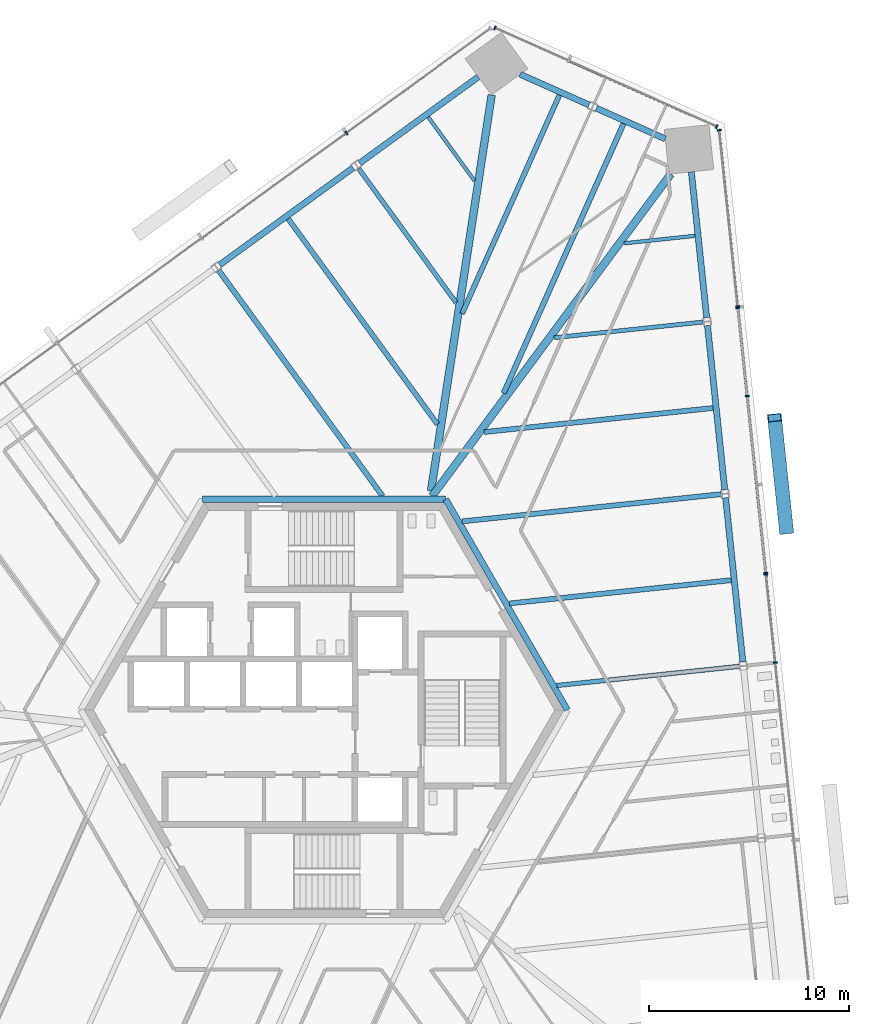
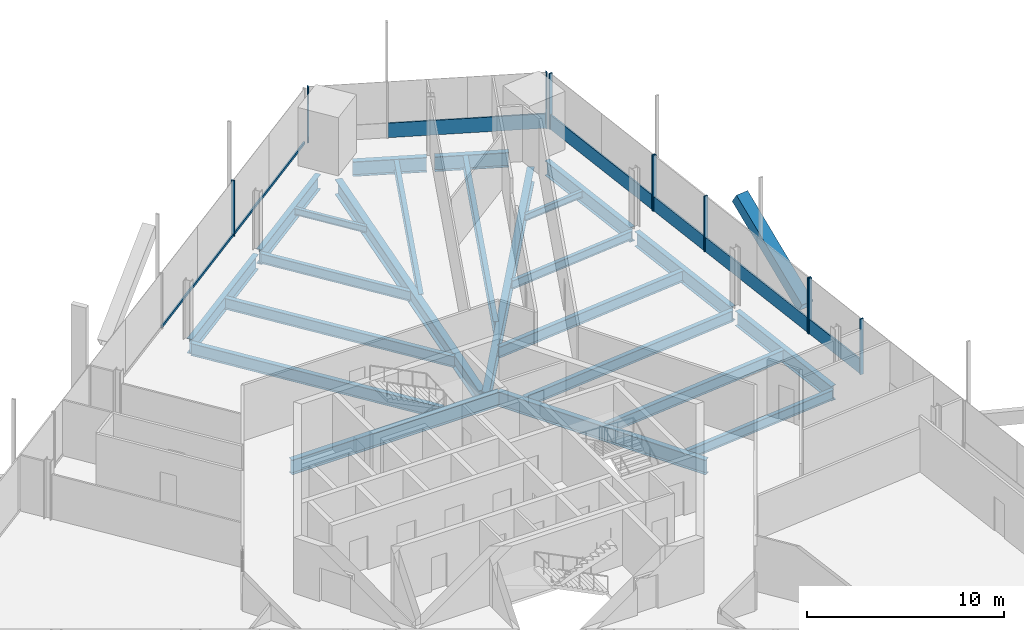
# One storey, part 7 of 21: 23 beams, 18 members, 5 elements without a shape of their own.
"""IFC4 building model written with IfcOpenShell, lengths in metres."""

from ifc_helpers import new_model, si_unit, direction, frame, origin, origin_2d, place, context, subcontext, project, spatial, rectangle, hollow_rectangle, i_section, extrude, source, transform, mapped, material, material_profile, profile_set, type_object, element, aggregate, save


model = new_model("IFC4")

# Units and contexts
model_context = context("Model", 3, precision=1e-05, world=origin(), true_north=direction((0.0, 1.0)))
body_context = subcontext(model_context, "Body", "Model", "MODEL_VIEW")
ifc_project = project(units=[si_unit("LENGTHUNIT", "METRE"), si_unit("AREAUNIT", "SQUARE_METRE"), si_unit("VOLUMEUNIT", "CUBIC_METRE"), si_unit("PLANEANGLEUNIT", "RADIAN"), si_unit("MASSUNIT", "GRAM", prefix="KILO")], contexts=[model_context])

# Site, building, storey
site_placement = place(None, origin())
site = spatial("IfcSite", under=ifc_project, at=site_placement, CompositionType="ELEMENT")
building_placement = place(site_placement, origin())
building = spatial("IfcBuilding", under=site, at=building_placement, Name="Triune Harvest Tower", CompositionType="ELEMENT")
storey_placement = place(building_placement, frame((0.0, 0.0, 80.10009765625)))
storey = spatial("IfcBuildingStorey", under=building, at=storey_placement, Name="L19", CompositionType="ELEMENT", Elevation=80.10009765625)

# Beams
ifc_material_1 = material(Name="Steel ASTM A992 Gr 50", Category="steel")
ifc_material_profile_1 = material_profile(ifc_material_1, i_section(OverallWidth=0.3046875, OverallDepth=0.914306640625, WebThickness=0.0166015625, FlangeThickness=0.02587890625, at=origin_2d()), Name="W36x160")
ifc_profile_set_1 = profile_set([ifc_material_profile_1], Name="Steel ASTM A992 Gr 50")
beam_type_1 = type_object("IfcBeamType", Name="CG-1 Core ring girder W36x160", PredefinedType="BEAM", material=ifc_profile_set_1)
shared_shape_1 = source(origin(), body_context, "Body", "SweptSolid", [
    extrude(i_section(OverallWidth=0.3046875, OverallDepth=0.914306640625, WebThickness=0.0166015625, FlangeThickness=0.02587890625, at=origin_2d()), origin(), (0.0, 0.0, 1.0), 12.176025390625),
])
beam_1_placement = place(storey_placement, frame((12.176025390625, 0.0, -0.6171875), z_axis=(-0.5000099932, 0.866019634131, 0.0), x_axis=(-0.866019634131, -0.5000099932, 0.0)))
element("IfcBeam", 1, at=beam_1_placement, inside=storey, type_object=beam_type_1, Name="beam/L19/CG1", PredefinedType="BEAM", context=body_context, shape_type="MappedRepresentation", body=[
    mapped(shared_shape_1, transform((0.0, 0.0, 0.0), scale=1.0)),
])
shared_shape_2 = source(origin(), body_context, "Body", "SweptSolid", [
    extrude(i_section(OverallWidth=0.3046875, OverallDepth=0.914306640625, WebThickness=0.0166015625, FlangeThickness=0.02587890625, at=origin_2d()), origin(), (0.0, 0.0, 1.0), 12.17578125),
])
beam_2_placement = place(storey_placement, frame((6.087890625, 10.544677734375, -0.6171875), z_axis=(-1.0, 0.0, 0.0), x_axis=(0.0, -1.0, 0.0)))
element("IfcBeam", 2, at=beam_2_placement, inside=storey, type_object=beam_type_1, Name="beam/L19/CG2", PredefinedType="BEAM", context=body_context, shape_type="MappedRepresentation", body=[
    mapped(shared_shape_2, transform((0.0, 0.0, 0.0), scale=1.0)),
])
ifc_material_2 = material(Name="Steel ASTM A992 Gr 50", Category="steel")
ifc_material_profile_2 = material_profile(ifc_material_2, i_section(OverallWidth=0.3046875, OverallDepth=0.914306640625, WebThickness=0.0166015625, FlangeThickness=0.02587890625, at=origin_2d()), Name="W36x160")
ifc_profile_set_2 = profile_set([ifc_material_profile_2], Name="Steel ASTM A992 Gr 50")
beam_type_2 = type_object("IfcBeamType", Name="SB-1 Spandrel beam W36x160", PredefinedType="SPANDREL", material=ifc_profile_set_2)
shared_shape_3 = source(origin(), body_context, "Body", "SweptSolid", [
    extrude(i_section(OverallWidth=0.3046875, OverallDepth=0.914306640625, WebThickness=0.0166015625, FlangeThickness=0.02587890625, at=origin_2d()), origin(), (0.0, 0.0, 1.0), 7.337890625),
])
beam_3_placement = place(storey_placement, frame((7.7158203125, 31.677490234375, -0.6171875), z_axis=(-0.80902661548, -0.58777200975, 0.0), x_axis=(0.58777200975, -0.80902661548, 0.0)))
element("IfcBeam", 3, at=beam_3_placement, inside=storey, type_object=beam_type_2, Name="beam/L19/SB9", PredefinedType="SPANDREL", context=body_context, shape_type="MappedRepresentation", body=[
    mapped(shared_shape_3, transform((0.0, 0.0, 0.0), scale=1.0)),
])
shared_shape_4 = source(origin(), body_context, "Body", "SweptSolid", [
    extrude(i_section(OverallWidth=0.3046875, OverallDepth=0.914306640625, WebThickness=0.0166015625, FlangeThickness=0.02587890625, at=origin_2d()), origin(), (0.0, 0.0, 1.0), 8.263427734375),
])
for number, where, z_axis, x_axis, name in (
    (4, (20.956298828125, 2.403076171875, -0.6171875), (-0.104560208485, 0.994518558299, 0.0), (-0.994518558299, -0.104560208485, 0.0), "beam/L19/SB4"),
    (5, (20.05078125, 11.017822265625, -0.6171875), (-0.104527914852, 0.994521953009, 0.0), (-0.994521953009, -0.104527914852, 0.0), "beam/L19/SB5"),
    (6, (1.45654296875, 27.130126953125, -0.6171875), (-0.809015786763, -0.587786914424, 0.0), (0.587786914424, -0.809015786763, 0.0), "beam/L19/SB10"),
):
    element("IfcBeam", number, at=place(storey_placement, frame(where, z_axis=z_axis, x_axis=x_axis)), inside=storey, type_object=beam_type_2, Name=name, PredefinedType="SPANDREL", context=body_context, shape_type="MappedRepresentation", body=[
        mapped(shared_shape_4, transform((0.0, 0.0, 0.0), scale=1.0)),
    ])
shared_shape_5 = source(origin(), body_context, "Body", "SweptSolid", [
    extrude(i_section(OverallWidth=0.3046875, OverallDepth=0.914306640625, WebThickness=0.0166015625, FlangeThickness=0.02587890625, at=origin_2d()), origin(), (0.0, 0.0, 1.0), 7.338134765625),
])
beam_4_placement = place(storey_placement, frame((19.145263671875, 19.632568359375, -0.6171875), z_axis=(-0.104502933908, 0.994524578281, 0.0), x_axis=(-0.994524578281, -0.104502933908, 0.0)))
element("IfcBeam", 7, at=beam_4_placement, inside=storey, type_object=beam_type_2, Name="beam/L19/SB6", PredefinedType="SPANDREL", context=body_context, shape_type="MappedRepresentation", body=[
    mapped(shared_shape_5, transform((0.0, 0.0, 0.0), scale=1.0)),
])
shared_shape_6 = source(origin(), body_context, "Body", "SweptSolid", [
    extrude(i_section(OverallWidth=0.3046875, OverallDepth=0.914306640625, WebThickness=0.0166015625, FlangeThickness=0.02587890625, at=origin_2d()), origin(), (0.0, 0.0, 1.0), 3.77490234375),
])
beam_5_placement = place(storey_placement, frame((17.073974609375, 28.577392578125, -0.6171875), z_axis=(-0.913541977346, 0.40674445986, 0.0), x_axis=(-0.40674445986, -0.913541977346, 0.0)))
element("IfcBeam", 8, at=beam_5_placement, inside=storey, type_object=beam_type_2, Name="beam/L19/SB7", PredefinedType="SPANDREL", context=body_context, shape_type="MappedRepresentation", body=[
    mapped(shared_shape_6, transform((0.0, 0.0, 0.0), scale=1.0)),
])
shared_shape_7 = source(origin(), body_context, "Body", "SweptSolid", [
    extrude(i_section(OverallWidth=0.3046875, OverallDepth=0.914306640625, WebThickness=0.0166015625, FlangeThickness=0.02587890625, at=origin_2d()), origin(), (0.0, 0.0, 1.0), 3.774658203125),
])
beam_6_placement = place(storey_placement, frame((13.260986328125, 30.275146484375, -0.6171875), z_axis=(-0.913566008399, 0.406690482182, 0.0), x_axis=(-0.406690482182, -0.913566008399, 0.0)))
element("IfcBeam", 9, at=beam_6_placement, inside=storey, type_object=beam_type_2, Name="beam/L19/SB8", PredefinedType="SPANDREL", context=body_context, shape_type="MappedRepresentation", body=[
    mapped(shared_shape_7, transform((0.0, 0.0, 0.0), scale=1.0)),
])
ifc_material_3 = material(Name="Steel ASTM A992 Gr 50", Category="steel")
ifc_material_profile_3 = material_profile(ifc_material_3, i_section(OverallWidth=0.383544921875, OverallDepth=0.9423828125, WebThickness=0.022216796875, FlangeThickness=0.039794921875, at=origin_2d()), Name="W36x232")
ifc_profile_set_3 = profile_set([ifc_material_profile_3], Name="Steel ASTM A992 Gr 50")
beam_type_3 = type_object("IfcBeamType", Name="HG-1 Hip girder W36x232", PredefinedType="BEAM", material=ifc_profile_set_3)
shared_shape_8 = source(origin(), body_context, "Body", "SweptSolid", [
    extrude(i_section(OverallWidth=0.383544921875, OverallDepth=0.9423828125, WebThickness=0.022216796875, FlangeThickness=0.039794921875, at=origin_2d()), origin(), (0.0, 0.0, 1.0), 20.071044921875),
])
beam_7_placement = place(storey_placement, frame((17.3515625, 26.822265625, -0.63134765625), z_axis=(-0.595422435489, -0.803412797581, 0.0), x_axis=(0.803412797581, -0.595422435489, 0.0)))
element("IfcBeam", 10, at=beam_7_placement, inside=storey, type_object=beam_type_3, Name="beam/L19/HG3", PredefinedType="BEAM", context=body_context, shape_type="MappedRepresentation", body=[
    mapped(shared_shape_8, transform((0.0, 0.0, 0.0), scale=1.0)),
])
shared_shape_9 = source(origin(), body_context, "Body", "SweptSolid", [
    extrude(i_section(OverallWidth=0.383544921875, OverallDepth=0.9423828125, WebThickness=0.022216796875, FlangeThickness=0.039794921875, at=origin_2d()), origin(), (0.0, 0.0, 1.0), 20.0546875),
])
beam_8_placement = place(storey_placement, frame((8.38623046875, 30.774169921875, -0.63134765625), z_axis=(-0.151393010927, -0.988473649746, 0.0), x_axis=(0.988473649746, -0.151393010927, 0.0)))
element("IfcBeam", 11, at=beam_8_placement, inside=storey, type_object=beam_type_3, Name="beam/L19/HG4", PredefinedType="BEAM", context=body_context, shape_type="MappedRepresentation", body=[
    mapped(shared_shape_9, transform((0.0, 0.0, 0.0), scale=1.0)),
])
ifc_material_4 = material(Name="Steel ASTM A992 Gr 50", Category="steel")
ifc_material_profile_4 = material_profile(ifc_material_4, i_section(OverallWidth=0.180908203125, OverallDepth=0.41650390625, WebThickness=0.010986328125, FlangeThickness=0.01806640625, at=origin_2d()), Name="W16x57")
ifc_profile_set_4 = profile_set([ifc_material_profile_4], Name="Steel ASTM A992 Gr 50")
beam_type_4 = type_object("IfcBeamType", Name="JT-1 Floor joist W16x57", PredefinedType="JOIST", material=ifc_profile_set_4)
shared_shape_10 = source(origin(), body_context, "Body", "SweptSolid", [
    extrude(i_section(OverallWidth=0.180908203125, OverallDepth=0.41650390625, WebThickness=0.010986328125, FlangeThickness=0.01806640625, at=origin_2d()), origin(), (0.0, 0.0, 1.0), 3.95068359375),
])
beam_9_placement = place(storey_placement, frame((5.21142578125, 29.669677734375, -0.368408203125), z_axis=(0.587818894271, -0.808992550978, 0.0), x_axis=(0.808992550978, 0.587818894271, 0.0)))
element("IfcBeam", 12, at=beam_9_placement, inside=storey, type_object=beam_type_4, Name="beam/L19/JT14", PredefinedType="JOIST", context=body_context, shape_type="MappedRepresentation", body=[
    mapped(shared_shape_10, transform((0.0, 0.0, 0.0), scale=1.0)),
])
ifc_material_5 = material(Name="Steel ASTM A992 Gr 50", Category="steel")
ifc_material_profile_5 = material_profile(ifc_material_5, i_section(OverallWidth=0.22900390625, OverallDepth=0.612060546875, WebThickness=0.011962890625, FlangeThickness=0.01953125, at=origin_2d()), Name="W24x84")
ifc_profile_set_5 = profile_set([ifc_material_profile_5], Name="Steel ASTM A992 Gr 50")
beam_type_5 = type_object("IfcBeamType", Name="JT-3 Floor joist W24x84", PredefinedType="JOIST", material=ifc_profile_set_5)
shared_shape_11 = source(origin(), body_context, "Body", "SweptSolid", [
    extrude(i_section(OverallWidth=0.22900390625, OverallDepth=0.612060546875, WebThickness=0.011962890625, FlangeThickness=0.01953125, at=origin_2d()), origin(), (0.0, 0.0, 1.0), 8.28173828125),
])
beam_10_placement = place(storey_placement, frame((1.733642578125, 27.087890625, -0.46630859375), z_axis=(0.587794772324, -0.809010077581, 0.0), x_axis=(0.809010077581, 0.587794772324, 0.0)))
element("IfcBeam", 13, at=beam_10_placement, inside=storey, type_object=beam_type_5, Name="beam/L19/JT15", PredefinedType="JOIST", context=body_context, shape_type="MappedRepresentation", body=[
    mapped(shared_shape_11, transform((0.0, 0.0, 0.0), scale=1.0)),
])
shared_shape_12 = source(origin(), body_context, "Body", "SweptSolid", [
    extrude(i_section(OverallWidth=0.22900390625, OverallDepth=0.612060546875, WebThickness=0.011962890625, FlangeThickness=0.01953125, at=origin_2d()), origin(), (0.0, 0.0, 1.0), 9.186279296875),
])
beam_11_placement = place(storey_placement, frame((20.78125, 2.18408203125, -0.46630859375), z_axis=(-0.99452494946, -0.10449940144, 0.0), x_axis=(0.10449940144, -0.99452494946, 0.0)))
element("IfcBeam", 14, at=beam_11_placement, inside=storey, type_object=beam_type_5, Name="beam/L19/JT6", PredefinedType="JOIST", context=body_context, shape_type="MappedRepresentation", body=[
    mapped(shared_shape_12, transform((0.0, 0.0, 0.0), scale=1.0)),
])
ifc_material_6 = material(Name="Steel ASTM A992 Gr 50", Category="steel")
ifc_material_profile_6 = material_profile(ifc_material_6, i_section(OverallWidth=0.253662109375, OverallDepth=0.683349609375, WebThickness=0.012451171875, FlangeThickness=0.01904296875, at=origin_2d()), Name="W27x94")
ifc_profile_set_6 = profile_set([ifc_material_profile_6], Name="Steel ASTM A992 Gr 50")
beam_type_6 = type_object("IfcBeamType", Name="JT-4 Floor joist W27x94", PredefinedType="JOIST", material=ifc_profile_set_6)
shared_shape_13 = source(origin(), body_context, "Body", "SweptSolid", [
    extrude(i_section(OverallWidth=0.253662109375, OverallDepth=0.683349609375, WebThickness=0.012451171875, FlangeThickness=0.01904296875, at=origin_2d()), origin(), (0.0, 0.0, 1.0), 11.158935546875),
])
beam_12_placement = place(storey_placement, frame((20.372802734375, 6.49609375, -0.501708984375), z_axis=(-0.994523540129, -0.104512813234, 0.0), x_axis=(0.104512813234, -0.994523540129, 0.0)))
element("IfcBeam", 15, at=beam_12_placement, inside=storey, type_object=beam_type_6, Name="beam/L19/JT7", PredefinedType="JOIST", context=body_context, shape_type="MappedRepresentation", body=[
    mapped(shared_shape_13, transform((0.0, 0.0, 0.0), scale=1.0)),
])
shared_shape_14 = source(origin(), body_context, "Body", "SweptSolid", [
    extrude(i_section(OverallWidth=0.253662109375, OverallDepth=0.683349609375, WebThickness=0.012451171875, FlangeThickness=0.01904296875, at=origin_2d()), origin(), (0.0, 0.0, 1.0), 13.04296875),
])
beam_13_placement = place(storey_placement, frame((19.875732421875, 10.799072265625, -0.501708984375), z_axis=(-0.99452051979, -0.104541550188, 0.0), x_axis=(0.104541550188, -0.99452051979, 0.0)))
element("IfcBeam", 16, at=beam_13_placement, inside=storey, type_object=beam_type_6, Name="beam/L19/JT8", PredefinedType="JOIST", context=body_context, shape_type="MappedRepresentation", body=[
    mapped(shared_shape_14, transform((0.0, 0.0, 0.0), scale=1.0)),
])
shared_shape_15 = source(origin(), body_context, "Body", "SweptSolid", [
    extrude(i_section(OverallWidth=0.253662109375, OverallDepth=0.683349609375, WebThickness=0.012451171875, FlangeThickness=0.01904296875, at=origin_2d()), origin(), (0.0, 0.0, 1.0), 11.51123046875),
])
beam_14_placement = place(storey_placement, frame((19.46728515625, 15.111083984375, -0.501708984375), z_axis=(-0.994520898324, -0.104537949071, 0.0), x_axis=(0.104537949071, -0.994520898324, 0.0)))
element("IfcBeam", 17, at=beam_14_placement, inside=storey, type_object=beam_type_6, Name="beam/L19/JT9", PredefinedType="JOIST", context=body_context, shape_type="MappedRepresentation", body=[
    mapped(shared_shape_15, transform((0.0, 0.0, 0.0), scale=1.0)),
])
ifc_material_7 = material(Name="Steel ASTM A992 Gr 50", Category="steel")
ifc_material_profile_7 = material_profile(ifc_material_7, i_section(OverallWidth=0.2099609375, OverallDepth=0.535888671875, WebThickness=0.010986328125, FlangeThickness=0.017333984375, at=origin_2d()), Name="W21x68")
ifc_profile_set_7 = profile_set([ifc_material_profile_7], Name="Steel ASTM A992 Gr 50")
beam_type_7 = type_object("IfcBeamType", Name="JT-2 Floor joist W21x68", PredefinedType="JOIST", material=ifc_profile_set_7)
shared_shape_16 = source(origin(), body_context, "Body", "SweptSolid", [
    extrude(i_section(OverallWidth=0.2099609375, OverallDepth=0.535888671875, WebThickness=0.010986328125, FlangeThickness=0.017333984375, at=origin_2d()), origin(), (0.0, 0.0, 1.0), 7.491943359375),
])
beam_15_placement = place(storey_placement, frame((18.97021484375, 19.413818359375, -0.427978515625), z_axis=(-0.994520798259, -0.104538901039, 0.0), x_axis=(0.104538901039, -0.994520798259, 0.0)))
element("IfcBeam", 18, at=beam_15_placement, inside=storey, type_object=beam_type_7, Name="beam/L19/JT10", PredefinedType="JOIST", context=body_context, shape_type="MappedRepresentation", body=[
    mapped(shared_shape_16, transform((0.0, 0.0, 0.0), scale=1.0)),
])
shared_shape_17 = source(origin(), body_context, "Body", "SweptSolid", [
    extrude(i_section(OverallWidth=0.180908203125, OverallDepth=0.41650390625, WebThickness=0.010986328125, FlangeThickness=0.01806640625, at=origin_2d()), origin(), (0.0, 0.0, 1.0), 3.562255859375),
])
beam_16_placement = place(storey_placement, frame((18.56201171875, 23.725830078125, -0.368408203125), z_axis=(-0.994523089103, -0.104517105016, 0.0), x_axis=(0.104517105016, -0.994523089103, 0.0)))
element("IfcBeam", 19, at=beam_16_placement, inside=storey, type_object=beam_type_4, Name="beam/L19/JT11", PredefinedType="JOIST", context=body_context, shape_type="MappedRepresentation", body=[
    mapped(shared_shape_17, transform((0.0, 0.0, 0.0), scale=1.0)),
])
ifc_material_8 = material(Name="Steel ASTM A992 Gr 50", Category="steel")
ifc_material_profile_8 = material_profile(ifc_material_8, i_section(OverallWidth=0.2666015625, OverallDepth=0.7568359375, WebThickness=0.013916015625, FlangeThickness=0.019287109375, at=origin_2d()), Name="W30x108")
ifc_profile_set_8 = profile_set([ifc_material_profile_8], Name="Steel ASTM A992 Gr 50")
beam_type_8 = type_object("IfcBeamType", Name="JT-5 Floor joist W30x108", PredefinedType="JOIST", material=ifc_profile_set_8)
shared_shape_18 = source(origin(), body_context, "Body", "SweptSolid", [
    extrude(i_section(OverallWidth=0.2666015625, OverallDepth=0.7568359375, WebThickness=0.013916015625, FlangeThickness=0.019287109375, at=origin_2d()), origin(), (0.0, 0.0, 1.0), 14.766357421875),
])
beam_17_placement = place(storey_placement, frame((14.987060546875, 29.33984375, -0.53857421875), z_axis=(-0.406727456384, -0.913549547766, 0.0), x_axis=(0.913549547766, -0.406727456384, 0.0)))
element("IfcBeam", 20, at=beam_17_placement, inside=storey, type_object=beam_type_8, Name="beam/L19/JT12", PredefinedType="JOIST", context=body_context, shape_type="MappedRepresentation", body=[
    mapped(shared_shape_18, transform((0.0, 0.0, 0.0), scale=1.0)),
])
shared_shape_19 = source(origin(), body_context, "Body", "SweptSolid", [
    extrude(i_section(OverallWidth=0.253662109375, OverallDepth=0.683349609375, WebThickness=0.012451171875, FlangeThickness=0.01904296875, at=origin_2d()), origin(), (0.0, 0.0, 1.0), 11.977783203125),
])
beam_18_placement = place(storey_placement, frame((11.775390625, 30.769775390625, -0.501708984375), z_axis=(-0.406717086171, -0.913554164687, 0.0), x_axis=(0.913554164687, -0.406717086171, 0.0)))
element("IfcBeam", 21, at=beam_18_placement, inside=storey, type_object=beam_type_6, Name="beam/L19/JT13", PredefinedType="JOIST", context=body_context, shape_type="MappedRepresentation", body=[
    mapped(shared_shape_19, transform((0.0, 0.0, 0.0), scale=1.0)),
])
shared_shape_20 = source(origin(), body_context, "Body", "SweptSolid", [
    extrude(i_section(OverallWidth=0.253662109375, OverallDepth=0.683349609375, WebThickness=0.012451171875, FlangeThickness=0.01904296875, at=origin_2d()), origin(), (0.0, 0.0, 1.0), 12.701904296875),
])
beam_19_placement = place(storey_placement, frame((-1.79638671875, 24.578369140625, -0.501708984375), z_axis=(0.587773910587, -0.809025234485, 0.0), x_axis=(0.809025234485, 0.587773910587, 0.0)))
element("IfcBeam", 22, at=beam_19_placement, inside=storey, type_object=beam_type_6, Name="beam/L19/JT16", PredefinedType="JOIST", context=body_context, shape_type="MappedRepresentation", body=[
    mapped(shared_shape_20, transform((0.0, 0.0, 0.0), scale=1.0)),
])
shared_shape_21 = source(origin(), body_context, "Body", "SweptSolid", [
    extrude(i_section(OverallWidth=0.2666015625, OverallDepth=0.7568359375, WebThickness=0.013916015625, FlangeThickness=0.019287109375, at=origin_2d()), origin(), (0.0, 0.0, 1.0), 13.967041015625),
])
beam_20_placement = place(storey_placement, frame((-5.2744140625, 21.99658203125, -0.53857421875), z_axis=(0.587790196646, -0.809013402069, 0.0), x_axis=(0.809013402069, 0.587790196646, 0.0)))
element("IfcBeam", 23, at=beam_20_placement, inside=storey, type_object=beam_type_8, Name="beam/L19/JT17", PredefinedType="JOIST", context=body_context, shape_type="MappedRepresentation", body=[
    mapped(shared_shape_21, transform((0.0, 0.0, 0.0), scale=1.0)),
])

# Member
ifc_material_9 = material(Name="Steel ASTM A572 Gr 50", Category="steel")
ifc_material_profile_9 = material_profile(ifc_material_9, hollow_rectangle(XDim=0.699951171875, YDim=0.699951171875, WallThickness=0.0400390625, at=origin_2d()), Name="Box 700x700x40")
ifc_profile_set_9 = profile_set([ifc_material_profile_9], Name="Steel ASTM A572 Gr 50")
member_type_1 = type_object("IfcMemberType", Name="BR-1 Brace Box 700x700x40", PredefinedType="BRACE", material=ifc_profile_set_9)
shared_shape_22 = source(origin(), body_context, "Body", "SweptSolid", [
    extrude(hollow_rectangle(XDim=0.699951171875, YDim=0.699951171875, WallThickness=0.0400390625, at=origin_2d()), origin(), (0.0, 0.0, 1.0), 6.7021484375),
])
member_1_placement = place(storey_placement, frame((23.133544921875, 9.003173828125, 0.0), z_axis=(-0.088190365828, 0.838883079159, 0.537119762135), x_axis=(-0.994519405424, -0.10455215079, 0.0)))
element("IfcMember", 24, at=member_1_placement, inside=storey, type_object=member_type_1, Name="brace/B2-F1/d1/7", PredefinedType="BRACE", context=body_context, shape_type="MappedRepresentation", body=[
    mapped(shared_shape_22, transform((0.0, 0.0, 0.0), scale=1.0)),
])

# Curtain wall, members
ifc_material_10 = material(Name="Aluminium bronze anodised", Category="aluminium")
curtain_wall_type_1 = type_object("IfcCurtainWallType", Name="CW-1 Tower stick curtain wall", PredefinedType="NOTDEFINED", material=ifc_material_10)
curtain_wall_1_placement = place(storey_placement, origin())
curtain_wall_1 = element("IfcCurtainWall", 25, at=curtain_wall_1_placement, inside=storey, type_object=curtain_wall_type_1, Name="CW-1 B2-F1 L19 run 1")
ifc_material_11 = material(Name="Aluminium bronze anodised", Category="aluminium")
ifc_material_profile_10 = material_profile(ifc_material_11, rectangle(XDim=0.199951171875, YDim=0.074951171875, at=origin_2d()), Name="MU-1 mullion 75 x 200")
ifc_profile_set_10 = profile_set([ifc_material_profile_10], Name="Aluminium bronze anodised")
member_type_2 = type_object("IfcMemberType", Name="MU-1 mullion 75 x 200", PredefinedType="MULLION", material=ifc_profile_set_10)
shared_shape_23 = source(origin(), body_context, "Body", "SweptSolid", [
    extrude(rectangle(XDim=0.199951171875, YDim=0.074951171875, at=origin_2d()), origin(), (0.0, 0.0, 1.0), 3.43994140625),
])
member_2_placement = place(storey_placement, frame((22.573486328125, 2.37255859375, 0.0), z_axis=(0.0, 0.0, 1.0), x_axis=(-0.994521974487, -0.1045277105, 0.0)))
member_2 = element("IfcMember", 26, at=member_2_placement, type_object=member_type_2, Name="CW-1 mullion B2-F1 1.7", PredefinedType="MULLION", context=body_context, shape_type="MappedRepresentation", body=[
    mapped(shared_shape_23, transform((0.0, 0.0, 0.0), scale=1.0)),
])
member_3_placement = place(storey_placement, frame((22.110107421875, 6.78125, 0.0), z_axis=(0.0, 0.0, 1.0), x_axis=(-0.994521974487, -0.1045277105, 0.0)))
member_3 = element("IfcMember", 27, at=member_3_placement, type_object=member_type_2, Name="CW-1 mullion B2-F1 1.8", PredefinedType="MULLION", context=body_context, shape_type="MappedRepresentation", body=[
    mapped(shared_shape_23, transform((0.0, 0.0, 0.0), scale=1.0)),
])

ifc_material_12 = material(Name="Aluminium bronze anodised", Category="aluminium")
curtain_wall_type_2 = type_object("IfcCurtainWallType", Name="CW-7 Tower stick curtain wall with insulated spandrel infill", PredefinedType="NOTDEFINED", material=ifc_material_12)
curtain_wall_2_placement = place(storey_placement, origin())
curtain_wall_2 = element("IfcCurtainWall", 28, at=curtain_wall_2_placement, inside=storey, type_object=curtain_wall_type_2, Name="CW-7 B2-F1 L19 run 1001")
member_4_placement = place(storey_placement, frame((22.102294921875, 6.85595703125, 0.0), z_axis=(0.0, 0.0, 1.0), x_axis=(-0.994521986995, -0.104527591495, 0.0)))
member_4 = element("IfcMember", 29, at=member_4_placement, type_object=member_type_2, Name="CW-7 mullion B2-F1 1001.1", PredefinedType="MULLION", context=body_context, shape_type="MappedRepresentation", body=[
    mapped(shared_shape_23, transform((0.0, 0.0, 0.0), scale=1.0)),
])
member_5_placement = place(storey_placement, frame((21.17138671875, 15.710693359375, 0.0), z_axis=(0.0, 0.0, 1.0), x_axis=(-0.994521986995, -0.104527591495, 0.0)))
member_5 = element("IfcMember", 30, at=member_5_placement, type_object=member_type_2, Name="CW-7 mullion B2-F1 1001.3", PredefinedType="MULLION", context=body_context, shape_type="MappedRepresentation", body=[
    mapped(shared_shape_23, transform((0.0, 0.0, 0.0), scale=1.0)),
])
member_6_placement = place(storey_placement, frame((20.7080078125, 20.11962890625, 0.0), z_axis=(0.0, 0.0, 1.0), x_axis=(-0.994521986995, -0.104527591495, 0.0)))
member_6 = element("IfcMember", 31, at=member_6_placement, type_object=member_type_2, Name="CW-7 mullion B2-F1 1001.4", PredefinedType="MULLION", context=body_context, shape_type="MappedRepresentation", body=[
    mapped(shared_shape_23, transform((0.0, 0.0, 0.0), scale=1.0)),
])

curtain_wall_3_placement = place(storey_placement, origin())
curtain_wall_3 = element("IfcCurtainWall", 32, at=curtain_wall_3_placement, inside=storey, type_object=curtain_wall_type_1, Name="CW-1 B2-F1 L19 run 2001")
member_7_placement = place(storey_placement, frame((20.7001953125, 20.194091796875, 0.0), z_axis=(0.0, 0.0, 1.0), x_axis=(-0.994522065412, -0.104526845393, 0.0)))
member_7 = element("IfcMember", 33, at=member_7_placement, type_object=member_type_2, Name="CW-1 mullion B2-F1 2001.1", PredefinedType="MULLION", context=body_context, shape_type="MappedRepresentation", body=[
    mapped(shared_shape_23, transform((0.0, 0.0, 0.0), scale=1.0)),
])
member_8_placement = place(storey_placement, frame((19.7734375, 29.01171875, 0.0), z_axis=(0.0, 0.0, 1.0), x_axis=(-0.994522065412, -0.104526845393, 0.0)))
member_8 = element("IfcMember", 34, at=member_8_placement, type_object=member_type_2, Name="CW-1 mullion B2-F1 2001.3", PredefinedType="MULLION", context=body_context, shape_type="MappedRepresentation", body=[
    mapped(shared_shape_23, transform((0.0, 0.0, 0.0), scale=1.0)),
])

curtain_wall_4_placement = place(storey_placement, origin())
curtain_wall_4 = element("IfcCurtainWall", 35, at=curtain_wall_4_placement, inside=storey, type_object=curtain_wall_type_1, Name="CW-1 B2-F2 L19 run 1")
member_9_placement = place(storey_placement, frame((19.643798828125, 29.1904296875, 0.0), z_axis=(0.0, 0.0, 1.0), x_axis=(-0.406733978386, -0.913546644034, 0.0)))
member_9 = element("IfcMember", 36, at=member_9_placement, type_object=member_type_2, Name="CW-1 mullion B2-F2 1.1", PredefinedType="MULLION", context=body_context, shape_type="MappedRepresentation", body=[
    mapped(shared_shape_23, transform((0.0, 0.0, 0.0), scale=1.0)),
])
member_10_placement = place(storey_placement, frame((8.548583984375, 34.13037109375, 0.0), z_axis=(0.0, 0.0, 1.0), x_axis=(-0.406733978386, -0.913546644034, 0.0)))
member_10 = element("IfcMember", 37, at=member_10_placement, type_object=member_type_2, Name="CW-1 mullion B2-F2 1.4", PredefinedType="MULLION", context=body_context, shape_type="MappedRepresentation", body=[
    mapped(shared_shape_23, transform((0.0, 0.0, 0.0), scale=1.0)),
])
ifc_material_13 = material(Name="Aluminium bronze anodised", Category="aluminium")
ifc_material_profile_11 = material_profile(ifc_material_13, rectangle(XDim=0.090087890625, YDim=0.89990234375, at=origin_2d()), Name="TR-1 transom 90 x 900")
ifc_profile_set_11 = profile_set([ifc_material_profile_11], Name="Aluminium bronze anodised")
member_type_3 = type_object("IfcMemberType", Name="TR-1 transom 90 x 900", PredefinedType="USERDEFINED", material=ifc_profile_set_11)
shared_shape_24 = source(origin(), body_context, "Body", "SweptSolid", [
    extrude(rectangle(XDim=0.090087890625, YDim=0.89990234375, at=origin_2d()), origin(), (0.0, 0.0, 1.0), 8.0341796875),
])
member_11_placement = place(storey_placement, frame((19.609375, 29.205810546875, 0.449951171875), z_axis=(-0.913544441051, 0.40673892637, 0.0), x_axis=(-0.40673892637, -0.913544441051, 0.0)))
member_11 = element("IfcMember", 38, at=member_11_placement, type_object=member_type_3, Name="CW-1 transom B2-F2 1.1", ObjectType="TRANSOM", PredefinedType="USERDEFINED", context=body_context, shape_type="MappedRepresentation", body=[
    mapped(shared_shape_24, transform((0.0, 0.0, 0.0), scale=1.0)),
])
aggregate(curtain_wall_4, [member_9, member_10, member_11])

# Curtain wall, member
ifc_material_14 = material(Name="Aluminium bronze anodised", Category="aluminium")
curtain_wall_type_3 = type_object("IfcCurtainWallType", Name="CW-6 Balcony window wall", PredefinedType="NOTDEFINED", material=ifc_material_14)
curtain_wall_5_placement = place(storey_placement, origin())
curtain_wall_5 = element("IfcCurtainWall", 39, at=curtain_wall_5_placement, inside=storey, type_object=curtain_wall_type_3, Name="CW-6 B2-F3 L19 run 1")
ifc_material_15 = material(Name="Aluminium bronze anodised", Category="aluminium")
ifc_material_profile_12 = material_profile(ifc_material_15, rectangle(XDim=0.199951171875, YDim=0.074951171875, at=origin_2d()), Name="MU-6 mullion 75 x 200")
ifc_profile_set_12 = profile_set([ifc_material_profile_12], Name="Aluminium bronze anodised")
member_type_4 = type_object("IfcMemberType", Name="MU-6 mullion 75 x 200", PredefinedType="MULLION", material=ifc_profile_set_12)
shared_shape_25 = source(origin(), body_context, "Body", "SweptSolid", [
    extrude(rectangle(XDim=0.199951171875, YDim=0.074951171875, at=origin_2d()), origin(), (0.0, 0.0, 1.0), 3.43994140625),
])
member_12_placement = place(storey_placement, frame((1.11767578125, 28.867919921875, 0.0), z_axis=(0.0, 0.0, 1.0), x_axis=(0.587784808458, -0.809017316839, 0.0)))
member_12 = element("IfcMember", 40, at=member_12_placement, type_object=member_type_4, Name="CW-6 mullion B2-F3 1.3", PredefinedType="MULLION", context=body_context, shape_type="MappedRepresentation", body=[
    mapped(shared_shape_25, transform((0.0, 0.0, 0.0), scale=1.0)),
])

# Member
shared_shape_26 = source(origin(), body_context, "Body", "SweptSolid", [
    extrude(rectangle(XDim=0.090087890625, YDim=0.89990234375, at=origin_2d()), origin(), (0.0, 0.0, 1.0), 8.82861328125),
])
member_13_placement = place(storey_placement, frame((22.09814453125, 6.893310546875, 0.449951171875), z_axis=(-0.104501967662, 0.994524679812, 0.0), x_axis=(-0.994524679812, -0.104501967662, 0.0)))
member_13 = element("IfcMember", 41, at=member_13_placement, type_object=member_type_3, Name="CW-7 transom B2-F1 1001.1", ObjectType="TRANSOM", PredefinedType="USERDEFINED", context=body_context, shape_type="MappedRepresentation", body=[
    mapped(shared_shape_26, transform((0.0, 0.0, 0.0), scale=1.0)),
])

ifc_material_16 = material(Name="Aluminium bronze anodised", Category="aluminium")
ifc_material_profile_13 = material_profile(ifc_material_16, rectangle(XDim=0.090087890625, YDim=0.14990234375, at=origin_2d()), Name="TR-6 transom 90 x 150")
ifc_profile_set_13 = profile_set([ifc_material_profile_13], Name="Aluminium bronze anodised")
member_type_5 = type_object("IfcMemberType", Name="TR-6 transom 90 x 150", PredefinedType="USERDEFINED", material=ifc_profile_set_13)
shared_shape_27 = source(origin(), body_context, "Body", "SweptSolid", [
    extrude(rectangle(XDim=0.090087890625, YDim=0.14990234375, at=origin_2d()), origin(), (0.0, 0.0, 1.0), 8.838623046875),
])
member_14_placement = place(storey_placement, frame((8.298583984375, 34.085205078125, 0.074951171875), z_axis=(-0.809013107771, -0.587790601706, 0.0), x_axis=(0.587790601706, -0.809013107771, 0.0)))
member_14 = element("IfcMember", 42, at=member_14_placement, type_object=member_type_5, Name="CW-6 transom B2-F3 1.1", ObjectType="TRANSOM", PredefinedType="USERDEFINED", context=body_context, shape_type="MappedRepresentation", body=[
    mapped(shared_shape_27, transform((0.0, 0.0, 0.0), scale=1.0)),
])

shared_shape_28 = source(origin(), body_context, "Body", "SweptSolid", [
    extrude(rectangle(XDim=0.090087890625, YDim=0.89990234375, at=origin_2d()), origin(), (0.0, 0.0, 1.0), 4.35791015625),
])
member_15_placement = place(storey_placement, frame((22.569580078125, 2.409912109375, 0.449951171875), z_axis=(-0.104538970033, 0.994520791007, 0.0), x_axis=(-0.994520791007, -0.104538970033, 0.0)))
member_15 = element("IfcMember", 43, at=member_15_placement, type_object=member_type_3, Name="CW-1 transom B2-F1 1.4", ObjectType="TRANSOM", PredefinedType="USERDEFINED", context=body_context, shape_type="MappedRepresentation", body=[
    mapped(shared_shape_28, transform((0.0, 0.0, 0.0), scale=1.0)),
])

aggregate(curtain_wall_1, [member_2, member_3, member_15])

shared_shape_29 = source(origin(), body_context, "Body", "SweptSolid", [
    extrude(rectangle(XDim=0.090087890625, YDim=0.89990234375, at=origin_2d()), origin(), (0.0, 0.0, 1.0), 4.358154296875),
])
member_16_placement = place(storey_placement, frame((21.16748046875, 15.748046875, 0.449951171875), z_axis=(-0.104477737601, 0.994527225543, 0.0), x_axis=(-0.994527225543, -0.104477737601, 0.0)))
member_16 = element("IfcMember", 44, at=member_16_placement, type_object=member_type_3, Name="CW-7 transom B2-F1 1001.2", ObjectType="TRANSOM", PredefinedType="USERDEFINED", context=body_context, shape_type="MappedRepresentation", body=[
    mapped(shared_shape_29, transform((0.0, 0.0, 0.0), scale=1.0)),
])

aggregate(curtain_wall_2, [member_4, member_5, member_6, member_13, member_16])

shared_shape_30 = source(origin(), body_context, "Body", "SweptSolid", [
    extrude(rectangle(XDim=0.090087890625, YDim=0.89990234375, at=origin_2d()), origin(), (0.0, 0.0, 1.0), 8.791259765625),
])
member_17_placement = place(storey_placement, frame((20.6962890625, 20.2314453125, 0.449951171875), z_axis=(-0.104528659017, 0.994521874794, 0.0), x_axis=(-0.994521874794, -0.104528659017, 0.0)))
member_17 = element("IfcMember", 45, at=member_17_placement, type_object=member_type_3, Name="CW-1 transom B2-F1 2001.1", ObjectType="TRANSOM", PredefinedType="USERDEFINED", context=body_context, shape_type="MappedRepresentation", body=[
    mapped(shared_shape_30, transform((0.0, 0.0, 0.0), scale=1.0)),
])

aggregate(curtain_wall_3, [member_7, member_8, member_17])

shared_shape_31 = source(origin(), body_context, "Body", "SweptSolid", [
    extrude(rectangle(XDim=0.090087890625, YDim=0.14990234375, at=origin_2d()), origin(), (0.0, 0.0, 1.0), 8.876220703125),
])
member_18_placement = place(storey_placement, frame((1.087158203125, 28.845947265625, 0.074951171875), z_axis=(-0.809014317977, -0.58778893602, 0.0), x_axis=(0.58778893602, -0.809014317977, 0.0)))
member_18 = element("IfcMember", 46, at=member_18_placement, type_object=member_type_5, Name="CW-6 transom B2-F3 1.2", ObjectType="TRANSOM", PredefinedType="USERDEFINED", context=body_context, shape_type="MappedRepresentation", body=[
    mapped(shared_shape_31, transform((0.0, 0.0, 0.0), scale=1.0)),
])

aggregate(curtain_wall_5, [member_12, member_14, member_18])

save(model, "model.ifc")
